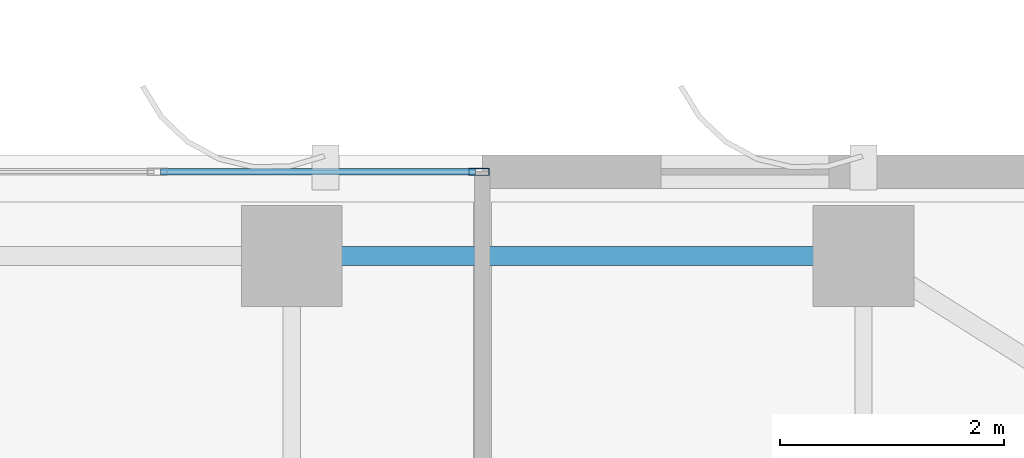
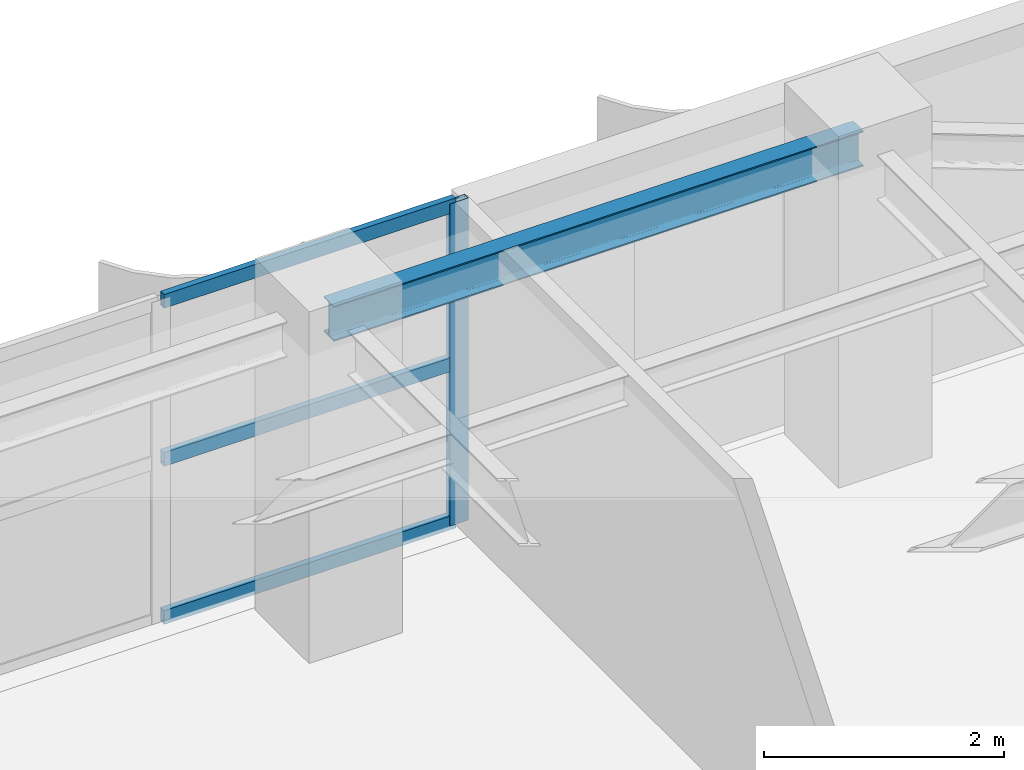
# One storey, part 17 of 25: 4 members, 1 beam, 1 element without a shape of its own.
"""IFC4 building model written with IfcOpenShell, lengths in metres."""

from ifc_helpers import new_model, si_unit, direction, frame, origin, origin_2d, place, context, subcontext, project, spatial, hollow_rectangle, i_section, extrude, source, transform, mapped, material, layer, layer_set, material_profile, profile_set, type_object, element, aggregate, save


model = new_model("IFC4")

# Units and contexts
model_context = context("Model", 3, precision=1e-05, world=origin(), true_north=direction((0.0, 1.0)))
body_context = subcontext(model_context, "Body", "Model", "MODEL_VIEW")
ifc_project = project(units=[si_unit("LENGTHUNIT", "METRE"), si_unit("AREAUNIT", "SQUARE_METRE"), si_unit("VOLUMEUNIT", "CUBIC_METRE"), si_unit("PLANEANGLEUNIT", "RADIAN"), si_unit("MASSUNIT", "GRAM", prefix="KILO")], contexts=[model_context])

# Site, building, storey
site_placement = place(None, origin())
site = spatial("IfcSite", under=ifc_project, at=site_placement, CompositionType="ELEMENT")
building_placement = place(site_placement, origin())
building = spatial("IfcBuilding", under=site, at=building_placement, Name="Khoralis Quay Care Tower", CompositionType="ELEMENT")
storey_placement = place(building_placement, frame((0.0, 0.0, 216.89990234375)))
storey = spatial("IfcBuildingStorey", under=building, at=storey_placement, Name="L57", CompositionType="ELEMENT", Elevation=216.89990234375)

# Beam
ifc_material_1 = material(Name="Steel S355", Category="steel")
ifc_material_profile_1 = material_profile(ifc_material_1, i_section(OverallWidth=0.169921875, OverallDepth=0.360107421875, WebThickness=0.008056640625, FlangeThickness=0.0126953125, FilletRadius=0.01806640625, at=origin_2d()), Name="Steel S355")
ifc_profile_set_1 = profile_set([ifc_material_profile_1], Name="Steel S355")
beam_type = type_object("IfcBeamType", Name="BM-IPE360", PredefinedType="SPANDREL", material=ifc_profile_set_1)
shared_shape_1 = source(origin(), body_context, "Body", "SweptSolid", [
    extrude(i_section(OverallWidth=0.169921875, OverallDepth=0.360107421875, WebThickness=0.008056640625, FlangeThickness=0.0126953125, FilletRadius=0.01806640625, at=origin_2d()), origin(), (0.0, 0.0, 1.0), 5.10009765625),
])
beam_placement = place(storey_placement, frame((30.89990234375, 41.10009765625, 3.10009765625), z_axis=(1.0, 0.0, 0.0), x_axis=(0.0, 1.0, 0.0)))
element("IfcBeam", 1, at=beam_placement, inside=storey, type_object=beam_type, Name="BM-TSP-L57-06", PredefinedType="SPANDREL", context=body_context, shape_type="MappedRepresentation", body=[
    mapped(shared_shape_1, transform((0.0, 0.0, 0.0), scale=1.0)),
])

# Curtain wall, members
ifc_material_2 = material(Name="Pale anodised aluminium", Category="aluminium")
ifc_layer = layer(ifc_material_2, 0.159912109375)
ifc_layer_set = layer_set([ifc_layer], Name="Pale anodised aluminium")
curtain_wall_type = type_object("IfcCurtainWallType", Name="CW-SYS-Z3", PredefinedType="NOTDEFINED", material=ifc_layer_set)
curtain_wall_placement = place(storey_placement, origin())
curtain_wall = element("IfcCurtainWall", 2, at=curtain_wall_placement, inside=storey, type_object=curtain_wall_type, Name="L57 Unitised Curtain Wall CW-L57-P1-E10", PredefinedType="NOTDEFINED")
ifc_material_profile_2 = material_profile(ifc_material_2, hollow_rectangle(XDim=0.06494140625, YDim=0.179931640625, WallThickness=0.00390625, at=origin_2d()), Name="Pale anodised aluminium")
ifc_profile_set_2 = profile_set([ifc_material_profile_2], Name="Pale anodised aluminium")
member_type_1 = type_object("IfcMemberType", Name="CW-MUL-180", PredefinedType="MULLION", material=ifc_profile_set_2)
shared_shape_2 = source(origin(), body_context, "Body", "SweptSolid", [
    extrude(hollow_rectangle(XDim=0.06494140625, YDim=0.179931640625, WallThickness=0.00390625, at=origin_2d()), origin(), (0.0, 0.0, 1.0), 3.280029296875),
])
member_1_placement = place(storey_placement, frame((32.570068359375, 41.85009765625, 0.0), z_axis=(0.0, 0.0, 1.0), x_axis=(0.0, -1.0, 0.0)))
member_1 = element("IfcMember", 3, at=member_1_placement, type_object=member_type_1, Name="CW3 mullion 1", PredefinedType="MULLION", context=body_context, shape_type="MappedRepresentation", body=[
    mapped(shared_shape_2, transform((0.0, 0.0, 0.0), scale=1.0)),
])
ifc_material_profile_3 = material_profile(ifc_material_2, hollow_rectangle(XDim=0.06005859375, YDim=0.139892578125, WallThickness=0.00390625, at=origin_2d()), Name="Pale anodised aluminium")
ifc_profile_set_3 = profile_set([ifc_material_profile_3], Name="Pale anodised aluminium")
member_type_2 = type_object("IfcMemberType", Name="CW-TRN-140", PredefinedType="USERDEFINED", material=ifc_profile_set_3)
shared_shape_3 = source(origin(), body_context, "Body", "SweptSolid", [
    extrude(hollow_rectangle(XDim=0.06005859375, YDim=0.139892578125, WallThickness=0.00390625, at=origin_2d()), origin(), (0.0, 0.0, 1.0), 2.810791015625),
])
member_2_placement = place(storey_placement, frame((32.5400390625, 41.85009765625, 0.030029296875), z_axis=(-1.0, 0.0, 0.0), x_axis=(0.0, -1.0, 0.0)))
member_2 = element("IfcMember", 4, at=member_2_placement, type_object=member_type_2, Name="CW3 transom 1.1", ObjectType="TRANSOM", PredefinedType="USERDEFINED", context=body_context, shape_type="MappedRepresentation", body=[
    mapped(shared_shape_3, transform((0.0, 0.0, 0.0), scale=1.0)),
])
member_3_placement = place(storey_placement, frame((32.5400390625, 41.85009765625, 1.64013671875), z_axis=(-1.0, 0.0, 0.0), x_axis=(0.0, -1.0, 0.0)))
member_3 = element("IfcMember", 5, at=member_3_placement, type_object=member_type_2, Name="CW3 transom 1.2", ObjectType="TRANSOM", PredefinedType="USERDEFINED", context=body_context, shape_type="MappedRepresentation", body=[
    mapped(shared_shape_3, transform((0.0, 0.0, 0.0), scale=1.0)),
])
member_4_placement = place(storey_placement, frame((32.5400390625, 41.85009765625, 3.25), z_axis=(-1.0, 0.0, 0.0), x_axis=(0.0, -1.0, 0.0)))
member_4 = element("IfcMember", 6, at=member_4_placement, type_object=member_type_2, Name="CW3 transom 1.3", ObjectType="TRANSOM", PredefinedType="USERDEFINED", context=body_context, shape_type="MappedRepresentation", body=[
    mapped(shared_shape_3, transform((0.0, 0.0, 0.0), scale=1.0)),
])
aggregate(curtain_wall, [member_1, member_2, member_3, member_4])

save(model, "model.ifc")
